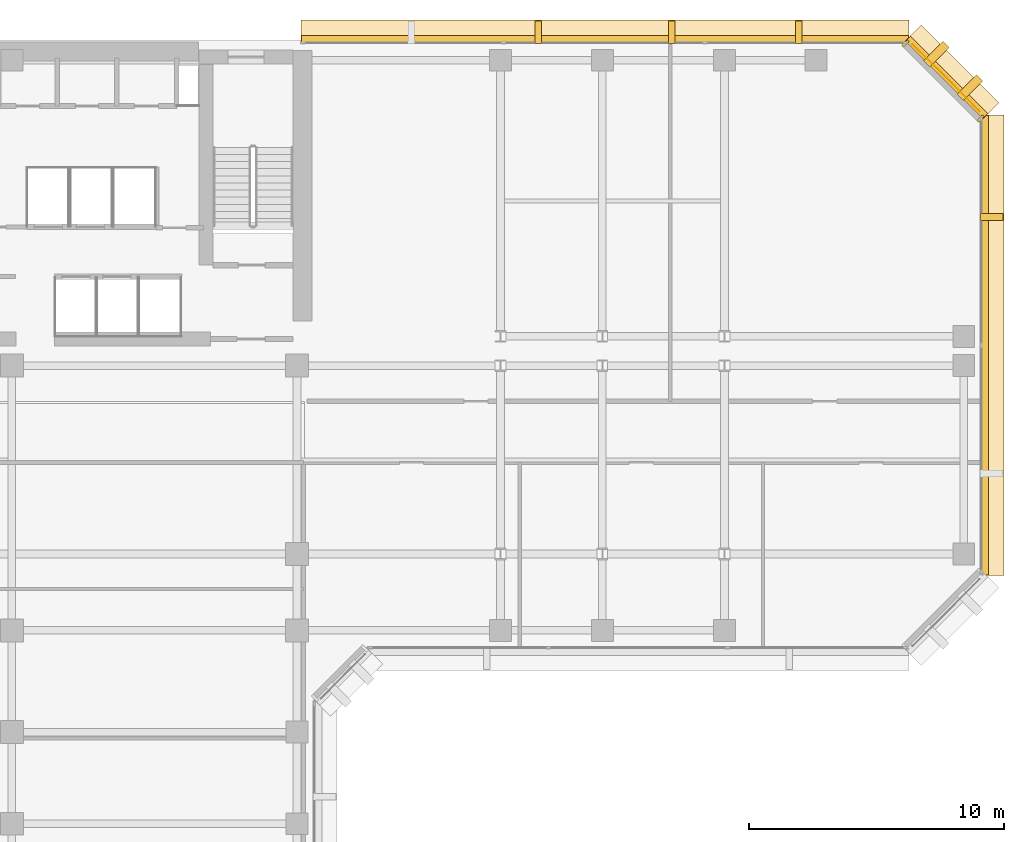
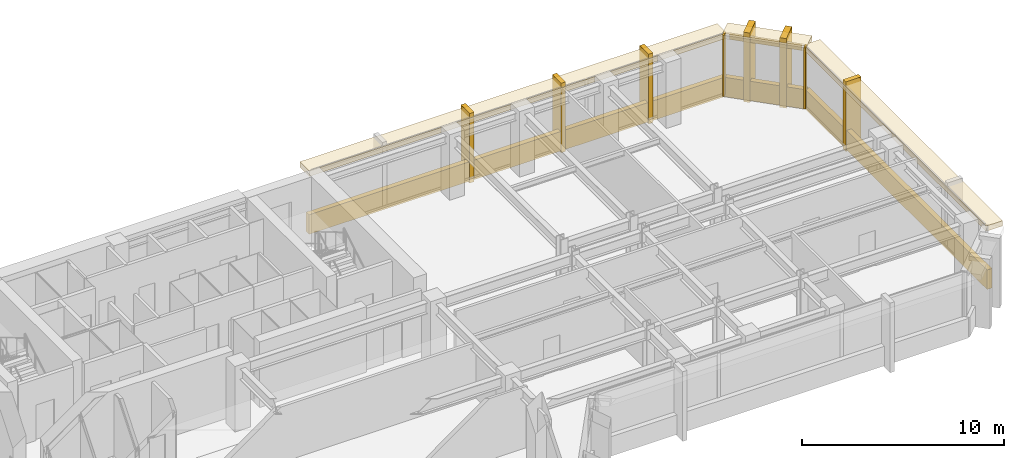
# One storey, part 11 of 11: 15 coverings.
"""IFC4 building model written with IfcOpenShell, lengths in metres."""

from ifc_helpers import new_model, si_unit, direction, frame, origin, origin_2d, place, context, subcontext, project, spatial, rectangle, extrude, material, layer, layer_set, type_object, element, save


model = new_model("IFC4")

# Units and contexts
model_context = context("Model", 3, precision=1e-05, world=origin(), true_north=direction((0.0, 1.0)))
body_context = subcontext(model_context, "Body", "Model", "MODEL_VIEW")
ifc_project = project(units=[si_unit("LENGTHUNIT", "METRE"), si_unit("AREAUNIT", "SQUARE_METRE"), si_unit("VOLUMEUNIT", "CUBIC_METRE"), si_unit("PLANEANGLEUNIT", "RADIAN"), si_unit("MASSUNIT", "GRAM", prefix="KILO")], contexts=[model_context])

# Site, building, storey
site_placement = place(None, origin())
site = spatial("IfcSite", under=ifc_project, at=site_placement, CompositionType="ELEMENT")
building_placement = place(site_placement, origin())
building = spatial("IfcBuilding", under=site, at=building_placement, Name="Kefirva Bronze Tower", CompositionType="ELEMENT")
storey_placement = place(building_placement, frame((0.0, 0.0, 142.889892578125)))
storey = spatial("IfcBuildingStorey", under=building, at=storey_placement, Name="L34", CompositionType="ELEMENT", Elevation=142.889892578125)

# Coverings
ifc_material = material(Name="Bronze anodised aluminium", Category="aluminium")
ifc_layer_1 = layer(ifc_material, 0.02001953125, Name="Bronze anodised aluminium")
ifc_layer_set_1 = layer_set([ifc_layer_1], Name="Bronze anodised aluminium")
covering_type_1 = type_object("IfcCoveringType", Name="Anodised Bronze Spandrel Cladding 20mm", PredefinedType="CLADDING", material=ifc_layer_set_1)
covering_1_placement = place(storey_placement, frame((50.239990234375, 34.0, -0.15966796875), z_axis=(0.0, 0.0, 1.0), x_axis=(0.0, 1.0, 0.0)))
element("IfcCovering", 1, at=covering_1_placement, inside=storey, type_object=covering_type_1, Name="L34 Streamline Horizontal Spandrel Band 6", PredefinedType="CLADDING", context=body_context, shape_type="SweptSolid", body=[
    extrude(rectangle(XDim=18.0400390625, YDim=0.280029296875, at=origin_2d()), origin(), (0.0, 0.0, 1.0), 1.179931640625),
])
covering_2_placement = place(storey_placement, frame((48.70703125, 44.507080078125, 3.2900390625), z_axis=(0.0, 0.0, 1.0), x_axis=(-0.707106781187, 0.707106781187, 0.0)))
element("IfcCovering", 2, at=covering_2_placement, inside=storey, type_object=covering_type_1, Name="L34 Bronze Spandrel Cladding 4", PredefinedType="CLADDING", context=body_context, shape_type="SweptSolid", body=[
    extrude(rectangle(XDim=3.719482421875, YDim=0.02001953125, at=origin_2d()), origin(), (0.0, 0.0, 1.0), 0.39990234375),
])
for number, where, z_axis, x_axis, name in (
    (3, (50.06201171875, 42.91162109375, 0.000244140625), (0.0, 0.0, 1.0), (-0.707106781187, 0.707106781187, 0.0), "L34 Facade Joint Closure Panel 4S"),
    (4, (47.11181640625, 45.862060546875, 0.000244140625), (0.0, 0.0, 1.0), (-0.707106781187, 0.707106781187, 0.0), "L34 Facade Joint Closure Panel 4E"),
):
    element("IfcCovering", number, at=place(storey_placement, frame(where, z_axis=z_axis, x_axis=x_axis)), inside=storey, type_object=covering_type_1, Name=name, PredefinedType="CLADDING", context=body_context, shape_type="SweptSolid", body=[
        extrude(rectangle(XDim=0.10009765625, YDim=0.320068359375, at=origin_2d()), origin(), (0.0, 0.0, 1.0), 3.7099609375),
    ])
covering_3_placement = place(storey_placement, frame((48.728271484375, 44.5283203125, -0.15966796875), z_axis=(0.0, 0.0, 1.0), x_axis=(-0.707106781187, 0.707106781187, 0.0)))
element("IfcCovering", 5, at=covering_3_placement, inside=storey, type_object=covering_type_1, Name="L34 Streamline Horizontal Spandrel Band 7", PredefinedType="CLADDING", context=body_context, shape_type="SweptSolid", body=[
    extrude(rectangle(XDim=4.28271484375, YDim=0.280029296875, at=origin_2d()), origin(), (0.0, 0.0, 1.0), 1.179931640625),
])
covering_4_placement = place(storey_placement, frame((35.302490234375, 46.0400390625, -0.15966796875), z_axis=(0.0, 0.0, 1.0), x_axis=(-1.0, 0.0, 0.0)))
element("IfcCovering", 6, at=covering_4_placement, inside=storey, type_object=covering_type_1, Name="L34 Streamline Horizontal Spandrel Band 8", PredefinedType="CLADDING", context=body_context, shape_type="SweptSolid", body=[
    extrude(rectangle(XDim=23.8349609375, YDim=0.280029296875, at=origin_2d()), origin(), (0.0, 0.0, 1.0), 1.179931640625),
])
ifc_layer_2 = layer(ifc_material, 0.179931640625, Name="Bronze anodised aluminium")
ifc_layer_set_2 = layer_set([ifc_layer_2], Name="Bronze anodised aluminium")
covering_type_2 = type_object("IfcCoveringType", Name="Streamline Bronze Sunshade Eyebrow Cladding 180mm", PredefinedType="CLADDING", material=ifc_layer_set_2)
covering_5_placement = place(storey_placement, frame((50.510009765625, 34.0, 3.39013671875), z_axis=(0.0, 0.0, 1.0), x_axis=(0.0, 1.0, 0.0)))
element("IfcCovering", 7, at=covering_5_placement, inside=storey, type_object=covering_type_2, Name="L34 Streamline Bronze Sunshade Eyebrow 6", PredefinedType="CLADDING", context=body_context, shape_type="SweptSolid", body=[
    extrude(rectangle(XDim=18.080078125, YDim=0.93994140625, at=origin_2d()), origin(), (0.0, 0.0, 1.0), 0.320068359375),
])
covering_6_placement = place(storey_placement, frame((48.919189453125, 44.71923828125, 3.39013671875), z_axis=(0.0, 0.0, 1.0), x_axis=(-0.707106781187, 0.707106781187, 0.0)))
element("IfcCovering", 8, at=covering_6_placement, inside=storey, type_object=covering_type_2, Name="L34 Streamline Bronze Sunshade Eyebrow 7", PredefinedType="CLADDING", context=body_context, shape_type="SweptSolid", body=[
    extrude(rectangle(XDim=4.322509765625, YDim=0.93994140625, at=origin_2d()), origin(), (0.0, 0.0, 1.0), 0.320068359375),
])
covering_7_placement = place(storey_placement, frame((35.302490234375, 46.31005859375, 3.39013671875), z_axis=(0.0, 0.0, 1.0), x_axis=(-1.0, 0.0, 0.0)))
element("IfcCovering", 9, at=covering_7_placement, inside=storey, type_object=covering_type_2, Name="L34 Streamline Bronze Sunshade Eyebrow 8", PredefinedType="CLADDING", context=body_context, shape_type="SweptSolid", body=[
    extrude(rectangle(XDim=23.875, YDim=0.93994140625, at=origin_2d()), origin(), (0.0, 0.0, 1.0), 0.320068359375),
])
ifc_layer_3 = layer(ifc_material, 0.260009765625, Name="Bronze anodised aluminium")
ifc_layer_set_3 = layer_set([ifc_layer_3], Name="Bronze anodised aluminium")
covering_type_3 = type_object("IfcCoveringType", Name="Unbroken Bronze Buttress Fin Cladding 260mm", PredefinedType="CLADDING", material=ifc_layer_set_3)
covering_8_placement = place(storey_placement, frame((50.5, 39.0400390625, -0.249755859375), z_axis=(0.0, 0.0, 1.0), x_axis=(0.0, 1.0, 0.0)))
element("IfcCovering", 10, at=covering_8_placement, inside=storey, type_object=covering_type_3, Name="L34 Unbroken Vertical Bronze Rib Fin 14", PredefinedType="CLADDING", context=body_context, shape_type="SweptSolid", body=[
    extrude(rectangle(XDim=0.260009765625, YDim=0.8798828125, at=origin_2d()), origin(), (0.0, 0.0, 1.0), 4.2099609375),
])
for number, where, z_axis, x_axis, name in (
    (11, (49.642822265625, 44.122802734375, -0.249755859375), (0.0, 0.0, 1.0), (-0.707106781187, 0.707106781187, 0.0), "L34 Chamfered Corner Buttress Fin Cladding 15"),
    (12, (48.32275390625, 45.44287109375, -0.249755859375), (0.0, 0.0, 1.0), (-0.707106781187, 0.707106781187, 0.0), "L34 Chamfered Corner Buttress Fin Cladding 16"),
):
    element("IfcCovering", number, at=place(storey_placement, frame(where, z_axis=z_axis, x_axis=x_axis)), inside=storey, type_object=covering_type_3, Name=name, PredefinedType="CLADDING", context=body_context, shape_type="SweptSolid", body=[
        extrude(rectangle(XDim=0.340087890625, YDim=1.080078125, at=origin_2d()), origin(), (0.0, 0.0, 1.0), 4.2099609375),
    ])
for number, where, z_axis, x_axis, name in (
    (13, (42.9169921875, 46.300048828125, -0.249755859375), (0.0, 0.0, 1.0), (-1.0, 0.0, 0.0), "L34 Unbroken Vertical Bronze Rib Fin 17"),
    (14, (37.919921875, 46.300048828125, -0.249755859375), (0.0, 0.0, 1.0), (-1.0, 0.0, 0.0), "L34 Unbroken Vertical Bronze Rib Fin 18"),
    (15, (32.68505859375, 46.300048828125, -0.249755859375), (0.0, 0.0, 1.0), (-1.0, 0.0, 0.0), "L34 Unbroken Vertical Bronze Rib Fin 19"),
):
    element("IfcCovering", number, at=place(storey_placement, frame(where, z_axis=z_axis, x_axis=x_axis)), inside=storey, type_object=covering_type_3, Name=name, PredefinedType="CLADDING", context=body_context, shape_type="SweptSolid", body=[
        extrude(rectangle(XDim=0.260009765625, YDim=0.8798828125, at=origin_2d()), origin(), (0.0, 0.0, 1.0), 4.2099609375),
    ])

save(model, "model.ifc")
